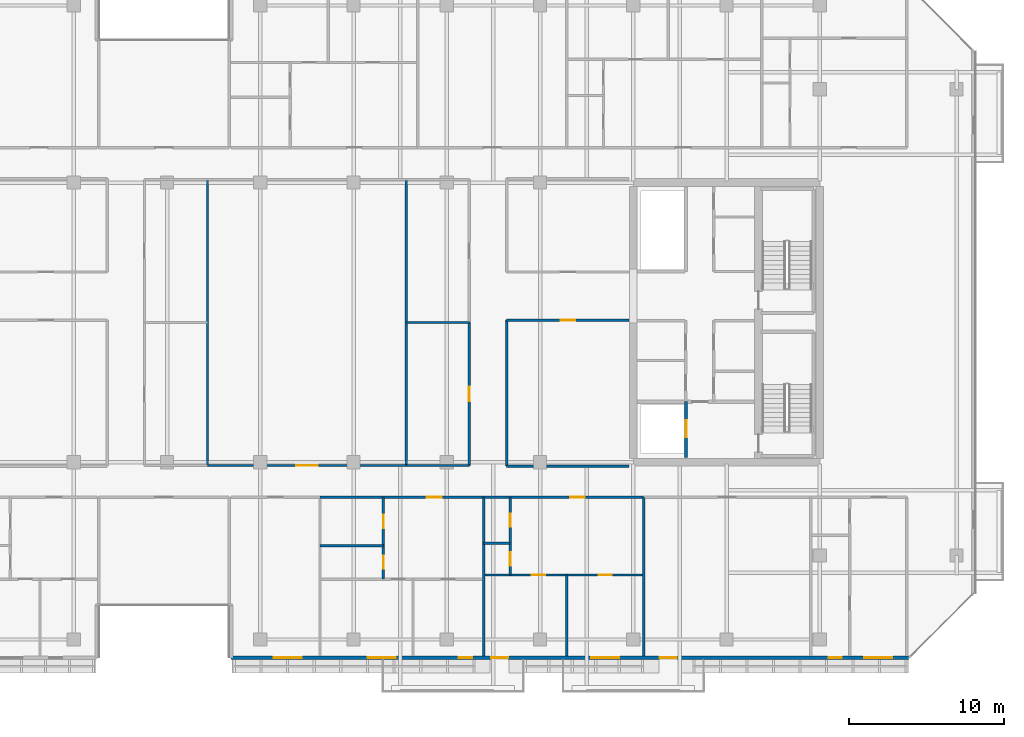
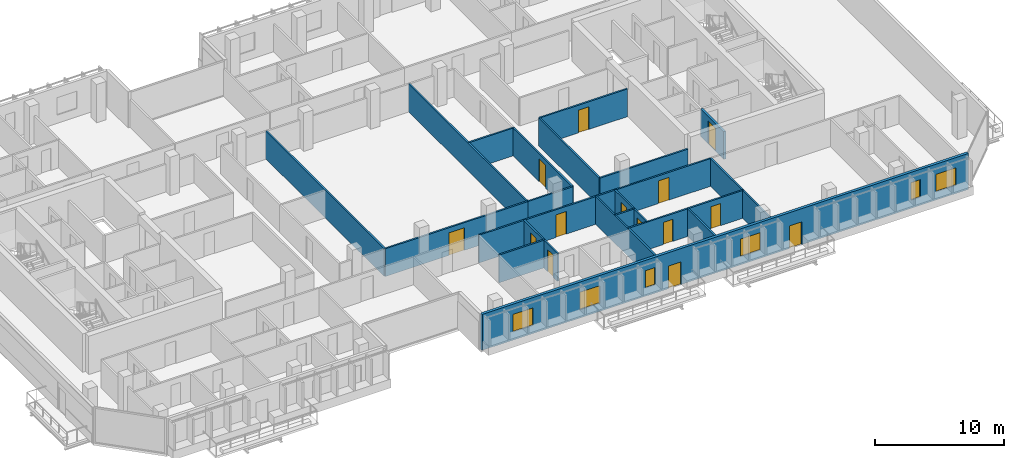
# One storey, part 21 of 30: 21 walls, 14 doors, 6 windows, 20 openings.
"""IFC4 building model written with IfcOpenShell, lengths in metres."""

from ifc_helpers import new_model, si_unit, direction, frame, frame_2d, origin, place, context, subcontext, project, spatial, rectangle, extrude, material, layer, layer_set, type_object, element, fill, save


model = new_model("IFC4")

# Units and contexts
model_context = context("Model", 3, precision=1e-05, world=origin(), true_north=direction((0.0, 1.0)))
body_context = subcontext(model_context, "Body", "Model", "MODEL_VIEW")
ifc_project = project(units=[si_unit("LENGTHUNIT", "METRE"), si_unit("AREAUNIT", "SQUARE_METRE"), si_unit("VOLUMEUNIT", "CUBIC_METRE"), si_unit("PLANEANGLEUNIT", "RADIAN"), si_unit("MASSUNIT", "GRAM", prefix="KILO")], contexts=[model_context])

# Site, building, storey
site_placement = place(None, origin())
site = spatial("IfcSite", under=ifc_project, at=site_placement, CompositionType="ELEMENT")
building_placement = place(site_placement, origin())
building = spatial("IfcBuilding", under=site, at=building_placement, Name="Tanjung Sevakor Pilgrim Tower", CompositionType="ELEMENT")
storey_placement = place(building_placement, frame((0.0, 0.0, 165.659912109375)))
storey = spatial("IfcBuildingStorey", under=building, at=storey_placement, Name="L46", CompositionType="ELEMENT", Elevation=165.659912109375)

# Wall
ifc_material_1 = material(Name="Concrete C40/50", Category="concrete")
ifc_layer_1 = layer(ifc_material_1, 0.14990234375)
ifc_layer_set_1 = layer_set([ifc_layer_1], Name="WT-COMP-150")
wall_type_1 = type_object("IfcWallType", Name="WT-COMP-150", PredefinedType="SOLIDWALL", material=ifc_layer_set_1)
wall_1_placement = place(storey_placement, frame((69.85009765625, 24.35009765625, 0.0), z_axis=(0.0, 0.0, 1.0), x_axis=(1.0, 0.0, 0.0)))
element("IfcWall", 1, at=wall_1_placement, inside=storey, type_object=wall_type_1, Name="L46 Partition IW-L46-033", PredefinedType="SOLIDWALL", context=body_context, shape_type="SweptSolid", body=[
    extrude(rectangle(XDim=7.8798828125, YDim=0.14990234375, at=frame_2d((3.93994140625, 0.0))), origin(), (0.0, 0.0, 1.0), 2.6298828125),
])

# Wall, opening, door
wall_2_placement = place(storey_placement, frame((69.85009765625, 33.75, 0.0), z_axis=(0.0, 0.0, 1.0), x_axis=(1.0, 0.0, 0.0)))
wall_2 = element("IfcWall", 2, at=wall_2_placement, inside=storey, type_object=wall_type_1, Name="L46 Partition IW-L46-034", PredefinedType="SOLIDWALL", context=body_context, shape_type="SweptSolid", body=[
    extrude(rectangle(XDim=7.8798828125, YDim=0.14990234375, at=frame_2d((3.93994140625, 0.0))), origin(), (0.0, 0.0, 1.0), 2.6298828125),
])
opening_1_placement = place(wall_2_placement, frame((3.465087890625, 0.0, 0.0)))
opening_1 = element("IfcOpeningElement", 3, at=opening_1_placement, cuts=wall_2, Name="Opening ID-RM1", PredefinedType="OPENING", context=body_context, shape_type="SweptSolid", body=[
    extrude(rectangle(XDim=0.949951171875, YDim=2.14990234375, at=frame_2d((0.47509765625, 1.074951171875))), frame((0.0, 0.0849609375, 0.0), z_axis=(0.0, -1.0, 0.0), x_axis=(1.0, 0.0, 0.0)), (0.0, 0.0, 1.0), 0.169921875),
])
ifc_material_2 = material(Name="Hardwood Timber", Category="wood")
door_type_1 = type_object("IfcDoorType", Name="DT-INT-950", OperationType="NOTDEFINED", PredefinedType="DOOR", material=ifc_material_2)
door_1_placement = place(opening_1_placement, origin())
door_1 = element("IfcDoor", 4, at=door_1_placement, inside=storey, type_object=door_type_1, Name="L46 East Inboard South Door", OperationType="SINGLE_SWING_RIGHT", OverallHeight=2.14990234375, OverallWidth=0.949951171875, PredefinedType="DOOR", context=body_context, shape_type="SweptSolid", body=[
    extrude(rectangle(XDim=0.949951171875, YDim=2.14990234375, at=frame_2d((0.47509765625, 1.074951171875))), frame((0.0, 0.02490234375, 0.0), z_axis=(0.0, -1.0, 0.0), x_axis=(1.0, 0.0, 0.0)), (0.0, 0.0, 1.0), 0.050048828125),
])
fill(opening_1, door_1)

# Wall
wall_3_placement = place(storey_placement, frame((69.85009765625, 24.35009765625, 0.0), z_axis=(0.0, 0.0, 1.0), x_axis=(0.0, 1.0, 0.0)))
element("IfcWall", 5, at=wall_3_placement, inside=storey, type_object=wall_type_1, Name="L46 Partition IW-L46-035", PredefinedType="SOLIDWALL", context=body_context, shape_type="SweptSolid", body=[
    extrude(rectangle(XDim=9.39990234375, YDim=0.14990234375, at=frame_2d((4.699951171875, 0.0))), origin(), (0.0, 0.0, 1.0), 2.6298828125),
])

# Wall, opening, door
wall_4_placement = place(storey_placement, frame((50.60009765625, 24.39990234375, 0.0), z_axis=(0.0, 0.0, 1.0), x_axis=(1.0, 0.0, 0.0)))
wall_4 = element("IfcWall", 6, at=wall_4_placement, inside=storey, type_object=wall_type_1, Name="L46 Partition IW-L46-044", PredefinedType="SOLIDWALL", context=body_context, shape_type="SweptSolid", body=[
    extrude(rectangle(XDim=12.7998046875, YDim=0.14990234375, at=frame_2d((6.39990234375, 0.0))), origin(), (0.0, 0.0, 1.0), 2.6298828125),
])
opening_2_placement = place(wall_4_placement, frame((5.699951171875, 0.0, 0.0)))
opening_2 = element("IfcOpeningElement", 7, at=opening_2_placement, cuts=wall_4, Name="Opening ID-HD1", PredefinedType="OPENING", context=body_context, shape_type="SweptSolid", body=[
    extrude(rectangle(XDim=1.39990234375, YDim=2.14990234375, at=frame_2d((0.699951171875, 1.074951171875))), frame((0.0, 0.0849609375, 0.0), z_axis=(0.0, -1.0, 0.0), x_axis=(1.0, 0.0, 0.0)), (0.0, 0.0, 1.0), 0.169921875),
])
ifc_material_3 = material(Name="Hardwood Timber", Category="wood")
door_type_2 = type_object("IfcDoorType", Name="DT-INT-1400", OperationType="DOUBLE_DOOR_SINGLE_SWING", PredefinedType="DOOR", material=ifc_material_3)
door_2_placement = place(opening_2_placement, origin())
door_2 = element("IfcDoor", 8, at=door_2_placement, inside=storey, type_object=door_type_2, Name="L46 Sky-Prayer Sanctuary Door", OperationType="SINGLE_SWING_RIGHT", OverallHeight=2.14990234375, OverallWidth=1.39990234375, PredefinedType="DOOR", context=body_context, shape_type="SweptSolid", body=[
    extrude(rectangle(XDim=1.39990234375, YDim=2.14990234375, at=frame_2d((0.699951171875, 1.074951171875))), frame((0.0, 0.02490234375, 0.0), z_axis=(0.0, -1.0, 0.0), x_axis=(1.0, 0.0, 0.0)), (0.0, 0.0, 1.0), 0.050048828125),
])
fill(opening_2, door_2)

# Walls
for number, where, z_axis, x_axis, name in (
    (9, (50.60009765625, 24.39990234375, 0.0), (0.0, 0.0, 1.0), (0.0, 1.0, 0.0), "L46 Partition IW-L46-046"),
    (10, (63.39990234375, 24.39990234375, 0.0), (0.0, 0.0, 1.0), (0.0, 1.0, 0.0), "L46 Partition IW-L46-047"),
):
    element("IfcWall", number, at=place(storey_placement, frame(where, z_axis=z_axis, x_axis=x_axis)), inside=storey, type_object=wall_type_1, Name=name, PredefinedType="SOLIDWALL", context=body_context, shape_type="SweptSolid", body=[
        extrude(rectangle(XDim=18.400146484375, YDim=0.14990234375, at=frame_2d((9.2001953125, 0.0))), origin(), (0.0, 0.0, 1.0), 2.6298828125),
    ])
for number, where, z_axis, x_axis, name in (
    (11, (63.39990234375, 24.39990234375, 0.0), (0.0, 0.0, 1.0), (1.0, 0.0, 0.0), "L46 Partition IW-L46-048"),
    (12, (63.39990234375, 33.60009765625, 0.0), (0.0, 0.0, 1.0), (1.0, 0.0, 0.0), "L46 Partition IW-L46-049"),
):
    element("IfcWall", number, at=place(storey_placement, frame(where, z_axis=z_axis, x_axis=x_axis)), inside=storey, type_object=wall_type_1, Name=name, PredefinedType="SOLIDWALL", context=body_context, shape_type="SweptSolid", body=[
        extrude(rectangle(XDim=4.050048828125, YDim=0.14990234375, at=frame_2d((2.02490234375, 0.0))), origin(), (0.0, 0.0, 1.0), 2.6298828125),
    ])

# Wall, opening, door
wall_5_placement = place(storey_placement, frame((67.449951171875, 24.39990234375, 0.0), z_axis=(0.0, 0.0, 1.0), x_axis=(0.0, 1.0, 0.0)))
wall_5 = element("IfcWall", 13, at=wall_5_placement, inside=storey, type_object=wall_type_1, Name="L46 Partition IW-L46-050", PredefinedType="SOLIDWALL", context=body_context, shape_type="SweptSolid", body=[
    extrude(rectangle(XDim=9.2001953125, YDim=0.14990234375, at=frame_2d((4.60009765625, 0.0))), origin(), (0.0, 0.0, 1.0), 2.6298828125),
])
opening_3_placement = place(wall_5_placement, frame((4.125, 0.0, 0.0)))
opening_3 = element("IfcOpeningElement", 14, at=opening_3_placement, cuts=wall_5, Name="Opening ID-RM1", PredefinedType="OPENING", context=body_context, shape_type="SweptSolid", body=[
    extrude(rectangle(XDim=0.949951171875, YDim=2.14990234375, at=frame_2d((0.47509765625, 1.074951171875))), frame((0.0, 0.0849609375, 0.0), z_axis=(0.0, -1.0, 0.0), x_axis=(1.0, 0.0, 0.0)), (0.0, 0.0, 1.0), 0.169921875),
])
door_3_placement = place(opening_3_placement, origin())
door_3 = element("IfcDoor", 15, at=door_3_placement, inside=storey, type_object=door_type_1, Name="L46 Female Ablution Door", OperationType="SINGLE_SWING_LEFT", OverallHeight=2.14990234375, OverallWidth=0.949951171875, PredefinedType="DOOR", context=body_context, shape_type="SweptSolid", body=[
    extrude(rectangle(XDim=0.949951171875, YDim=2.14990234375, at=frame_2d((0.47509765625, 1.074951171875))), frame((0.0, 0.02490234375, 0.0), z_axis=(0.0, -1.0, 0.0), x_axis=(1.0, 0.0, 0.0)), (0.0, 0.0, 1.0), 0.050048828125),
])
fill(opening_3, door_3)

# Wall
wall_6_placement = place(storey_placement, frame((68.367919921875, 12.14990234375, 0.0), z_axis=(0.0, 0.0, 1.0), x_axis=(0.0, 1.0, 0.0)))
element("IfcWall", 16, at=wall_6_placement, inside=storey, type_object=wall_type_1, Name="L46 Partition IW-L46-074", PredefinedType="SOLIDWALL", context=body_context, shape_type="SweptSolid", body=[
    extrude(rectangle(XDim=10.2001953125, YDim=0.14990234375, at=frame_2d((5.10009765625, 0.0))), origin(), (0.0, 0.0, 1.0), 2.6298828125),
])

# Wall, opening, door
wall_7_placement = place(storey_placement, frame((57.841064453125, 22.35009765625, 0.0), z_axis=(0.0, 0.0, 1.0), x_axis=(1.0, 0.0, 0.0)))
wall_7 = element("IfcWall", 17, at=wall_7_placement, inside=storey, type_object=wall_type_1, Name="L46 Partition IW-L46-079", PredefinedType="SOLIDWALL", context=body_context, shape_type="SweptSolid", body=[
    extrude(rectangle(XDim=10.52685546875, YDim=0.14990234375, at=frame_2d((5.263427734375, 0.0))), origin(), (0.0, 0.0, 1.0), 2.6298828125),
])
opening_4_placement = place(wall_7_placement, frame((6.867919921875, 0.0, 0.0)))
opening_4 = element("IfcOpeningElement", 18, at=opening_4_placement, cuts=wall_7, Name="Opening ID-FD2", PredefinedType="OPENING", context=body_context, shape_type="SweptSolid", body=[
    extrude(rectangle(XDim=0.949951171875, YDim=2.14990234375, at=frame_2d((0.47509765625, 1.074951171875))), frame((0.0, 0.0849609375, 0.0), z_axis=(0.0, -1.0, 0.0), x_axis=(1.0, 0.0, 0.0)), (0.0, 0.0, 1.0), 0.169921875),
])
ifc_material_4 = material(Name="Fire-Rated Timber", Category="wood")
door_type_3 = type_object("IfcDoorType", Name="DT-FIRE-950", OperationType="NOTDEFINED", PredefinedType="DOOR", material=ifc_material_4)
door_4_placement = place(opening_4_placement, origin())
door_4 = element("IfcDoor", 19, at=door_4_placement, inside=storey, type_object=door_type_3, Name="Suite Entrance", OperationType="SINGLE_SWING_RIGHT", OverallHeight=2.14990234375, OverallWidth=0.949951171875, PredefinedType="DOOR", context=body_context, shape_type="SweptSolid", body=[
    extrude(rectangle(XDim=0.949951171875, YDim=2.14990234375, at=frame_2d((0.47509765625, 1.074951171875))), frame((0.0, 0.02490234375, 0.0), z_axis=(0.0, -1.0, 0.0), x_axis=(1.0, 0.0, 0.0)), (0.0, 0.0, 1.0), 0.050048828125),
])
fill(opening_4, door_4)

# Wall
wall_8_placement = place(storey_placement, frame((78.665771484375, 12.14990234375, 0.0), z_axis=(0.0, 0.0, 1.0), x_axis=(0.0, 1.0, 0.0)))
element("IfcWall", 20, at=wall_8_placement, inside=storey, type_object=wall_type_1, Name="L46 Partition IW-L46-080", PredefinedType="SOLIDWALL", context=body_context, shape_type="SweptSolid", body=[
    extrude(rectangle(XDim=10.2001953125, YDim=0.14990234375, at=frame_2d((5.10009765625, 0.0))), origin(), (0.0, 0.0, 1.0), 2.6298828125),
])

# Wall, opening, door
wall_9_placement = place(storey_placement, frame((68.367919921875, 22.35009765625, 0.0), z_axis=(0.0, 0.0, 1.0), x_axis=(1.0, 0.0, 0.0)))
wall_9 = element("IfcWall", 21, at=wall_9_placement, inside=storey, type_object=wall_type_1, Name="L46 Partition IW-L46-085", PredefinedType="SOLIDWALL", context=body_context, shape_type="SweptSolid", body=[
    extrude(rectangle(XDim=10.2978515625, YDim=0.14990234375, at=frame_2d((5.14892578125, 0.0))), origin(), (0.0, 0.0, 1.0), 2.6298828125),
])
opening_5_placement = place(wall_9_placement, frame((5.570068359375, 0.0, 0.0)))
opening_5 = element("IfcOpeningElement", 22, at=opening_5_placement, cuts=wall_9, Name="Opening ID-FD2", PredefinedType="OPENING", context=body_context, shape_type="SweptSolid", body=[
    extrude(rectangle(XDim=0.949951171875, YDim=2.14990234375, at=frame_2d((0.47509765625, 1.074951171875))), frame((0.0, 0.0849609375, 0.0), z_axis=(0.0, -1.0, 0.0), x_axis=(1.0, 0.0, 0.0)), (0.0, 0.0, 1.0), 0.169921875),
])
door_5_placement = place(opening_5_placement, origin())
door_5 = element("IfcDoor", 23, at=door_5_placement, inside=storey, type_object=door_type_3, Name="Suite Entrance", OperationType="SINGLE_SWING_LEFT", OverallHeight=2.14990234375, OverallWidth=0.949951171875, PredefinedType="DOOR", context=body_context, shape_type="SweptSolid", body=[
    extrude(rectangle(XDim=0.949951171875, YDim=2.14990234375, at=frame_2d((0.47509765625, 1.074951171875))), frame((0.0, 0.02490234375, 0.0), z_axis=(0.0, -1.0, 0.0), x_axis=(1.0, 0.0, 0.0)), (0.0, 0.0, 1.0), 0.050048828125),
])
fill(opening_5, door_5)

# Wall, openings, doors, windows
ifc_material_5 = material(Name="Precast concrete C45/55", Category="concrete")
ifc_layer_2 = layer(ifc_material_5, 0.25)
ifc_layer_set_2 = layer_set([ifc_layer_2], Name="WT-EW-STN3")
wall_type_2 = type_object("IfcWallType", Name="WT-EW-STN3", PredefinedType="SOLIDWALL", material=ifc_layer_set_2)
wall_10_placement = place(storey_placement, frame((52.125, 12.02490234375, 0.0), z_axis=(0.0, 0.0, 1.0), x_axis=(1.0, 0.0, 0.0)))
wall_10 = element("IfcWall", 24, at=wall_10_placement, inside=storey, type_object=wall_type_2, Name="L46 MAIN Exterior Wall 5", PredefinedType="SOLIDWALL", context=body_context, shape_type="SweptSolid", body=[
    extrude(rectangle(XDim=43.623291015625, YDim=0.25, at=frame_2d((21.8115234375, 0.0))), origin(), (0.0, 0.0, 1.0), 3.409912109375),
])
opening_6_placement = place(wall_10_placement, frame((16.72509765625, 0.0, 0.0)))
opening_6 = element("IfcOpeningElement", 25, at=opening_6_placement, cuts=wall_10, Name="Opening ED-BAL-1100", PredefinedType="OPENING", context=body_context, shape_type="SweptSolid", body=[
    extrude(rectangle(XDim=1.10009765625, YDim=2.14990234375, at=frame_2d((0.550048828125, 1.074951171875))), frame((0.0, 0.135009765625, 0.0), z_axis=(0.0, -1.0, 0.0), x_axis=(1.0, 0.0, 0.0)), (0.0, 0.0, 1.0), 0.27001953125),
])
opening_7_placement = place(wall_10_placement, frame((27.574951171875, 0.0, 0.0)))
opening_7 = element("IfcOpeningElement", 26, at=opening_7_placement, cuts=wall_10, Name="Opening ED-BAL-1100", PredefinedType="OPENING", context=body_context, shape_type="SweptSolid", body=[
    extrude(rectangle(XDim=1.10009765625, YDim=2.14990234375, at=frame_2d((0.550048828125, 1.074951171875))), frame((0.0, 0.135009765625, 0.0), z_axis=(0.0, -1.0, 0.0), x_axis=(1.0, 0.0, 0.0)), (0.0, 0.0, 1.0), 0.27001953125),
])
opening_8_placement = place(wall_10_placement, frame((2.755615234375, 0.0, 0.780029296875)))
opening_8 = element("IfcOpeningElement", 27, at=opening_8_placement, cuts=wall_10, Name="Opening WN-Z3-1660", PredefinedType="OPENING", context=body_context, shape_type="SweptSolid", body=[
    extrude(rectangle(XDim=1.800048828125, YDim=1.659912109375, at=frame_2d((0.89990234375, 0.830078125))), frame((0.0, 0.135009765625, 0.0), z_axis=(0.0, -1.0, 0.0), x_axis=(1.0, 0.0, 0.0)), (0.0, 0.0, 1.0), 0.27001953125),
])
opening_9_placement = place(wall_10_placement, frame((8.775634765625, 0.0, 0.780029296875)))
opening_9 = element("IfcOpeningElement", 28, at=opening_9_placement, cuts=wall_10, Name="Opening WN-Z3-1660", PredefinedType="OPENING", context=body_context, shape_type="SweptSolid", body=[
    extrude(rectangle(XDim=1.800048828125, YDim=1.659912109375, at=frame_2d((0.89990234375, 0.830078125))), frame((0.0, 0.135009765625, 0.0), z_axis=(0.0, -1.0, 0.0), x_axis=(1.0, 0.0, 0.0)), (0.0, 0.0, 1.0), 0.27001953125),
])
opening_10_placement = place(wall_10_placement, frame((14.65380859375, 0.0, 0.780029296875)))
opening_10 = element("IfcOpeningElement", 29, at=opening_10_placement, cuts=wall_10, Name="Opening WN-SLM", PredefinedType="OPENING", context=body_context, shape_type="SweptSolid", body=[
    extrude(rectangle(XDim=0.85009765625, YDim=1.64990234375, at=frame_2d((0.425048828125, 0.824951171875))), frame((0.0, 0.135009765625, 0.0), z_axis=(0.0, -1.0, 0.0), x_axis=(1.0, 0.0, 0.0)), (0.0, 0.0, 1.0), 0.27001953125),
])
opening_11_placement = place(wall_10_placement, frame((23.1591796875, 0.0, 0.780029296875)))
opening_11 = element("IfcOpeningElement", 30, at=opening_11_placement, cuts=wall_10, Name="Opening WN-Z3-1660", PredefinedType="OPENING", context=body_context, shape_type="SweptSolid", body=[
    extrude(rectangle(XDim=1.800048828125, YDim=1.659912109375, at=frame_2d((0.89990234375, 0.830078125))), frame((0.0, 0.135009765625, 0.0), z_axis=(0.0, -1.0, 0.0), x_axis=(1.0, 0.0, 0.0)), (0.0, 0.0, 1.0), 0.27001953125),
])
opening_12_placement = place(wall_10_placement, frame((38.45068359375, 0.0, 0.780029296875)))
opening_12 = element("IfcOpeningElement", 31, at=opening_12_placement, cuts=wall_10, Name="Opening WN-SLM", PredefinedType="OPENING", context=body_context, shape_type="SweptSolid", body=[
    extrude(rectangle(XDim=0.85009765625, YDim=1.64990234375, at=frame_2d((0.425048828125, 0.824951171875))), frame((0.0, 0.135009765625, 0.0), z_axis=(0.0, -1.0, 0.0), x_axis=(1.0, 0.0, 0.0)), (0.0, 0.0, 1.0), 0.27001953125),
])
opening_13_placement = place(wall_10_placement, frame((40.72509765625, 0.0, 0.780029296875)))
opening_13 = element("IfcOpeningElement", 32, at=opening_13_placement, cuts=wall_10, Name="Opening WN-Z3-1660", PredefinedType="OPENING", context=body_context, shape_type="SweptSolid", body=[
    extrude(rectangle(XDim=1.800048828125, YDim=1.659912109375, at=frame_2d((0.89990234375, 0.830078125))), frame((0.0, 0.135009765625, 0.0), z_axis=(0.0, -1.0, 0.0), x_axis=(1.0, 0.0, 0.0)), (0.0, 0.0, 1.0), 0.27001953125),
])
ifc_material_6 = material(Name="Anodised Aluminium and Laminated Glass", Category="aluminium")
door_type_4 = type_object("IfcDoorType", Name="DTYP-ED-BAL-1100", OperationType="NOTDEFINED", PredefinedType="DOOR", material=ifc_material_6)
door_6_placement = place(opening_6_placement, frame((1.10009765625, 0.0, 0.0), z_axis=(0.0, 0.0, 1.0), x_axis=(-1.0, 0.0, 0.0)))
door_6 = element("IfcDoor", 33, at=door_6_placement, inside=storey, type_object=door_type_4, Name="L46 Balcony Door MAIN-S2", OperationType="SINGLE_SWING_LEFT", OverallHeight=2.14990234375, OverallWidth=1.10009765625, PredefinedType="DOOR", context=body_context, shape_type="SweptSolid", body=[
    extrude(rectangle(XDim=1.10009765625, YDim=2.14990234375, at=frame_2d((0.550048828125, 1.074951171875))), frame((0.0, 0.02490234375, 0.0), z_axis=(0.0, -1.0, 0.0), x_axis=(1.0, 0.0, 0.0)), (0.0, 0.0, 1.0), 0.050048828125),
])
fill(opening_6, door_6)
door_7_placement = place(opening_7_placement, frame((1.10009765625, 0.0, 0.0), z_axis=(0.0, 0.0, 1.0), x_axis=(-1.0, 0.0, 0.0)))
door_7 = element("IfcDoor", 34, at=door_7_placement, inside=storey, type_object=door_type_4, Name="L46 Balcony Door MAIN-S3", OperationType="SINGLE_SWING_RIGHT", OverallHeight=2.14990234375, OverallWidth=1.10009765625, PredefinedType="DOOR", context=body_context, shape_type="SweptSolid", body=[
    extrude(rectangle(XDim=1.10009765625, YDim=2.14990234375, at=frame_2d((0.550048828125, 1.074951171875))), frame((0.0, 0.02490234375, 0.0), z_axis=(0.0, -1.0, 0.0), x_axis=(1.0, 0.0, 0.0)), (0.0, 0.0, 1.0), 0.050048828125),
])
fill(opening_7, door_7)
ifc_material_7 = material(Name="Thermally Broken Aluminium and Low-E Glass", Category="aluminium")
window_type_1 = type_object("IfcWindowType", Name="WTYP-WN-SLM", PartitioningType="SINGLE_PANEL", PredefinedType="WINDOW", material=ifc_material_7)
window_1_placement = place(opening_10_placement, origin())
window_1 = element("IfcWindow", 35, at=window_1_placement, inside=storey, type_object=window_type_1, Name="L46 Facade Window 03", OverallHeight=1.64990234375, OverallWidth=0.85009765625, PartitioningType="SINGLE_PANEL", PredefinedType="WINDOW", context=body_context, shape_type="SweptSolid", body=[
    extrude(rectangle(XDim=0.85009765625, YDim=1.64990234375, at=frame_2d((0.425048828125, 0.824951171875))), frame((0.0, 0.030029296875, 0.0), z_axis=(0.0, -1.0, 0.0), x_axis=(1.0, 0.0, 0.0)), (0.0, 0.0, 1.0), 0.06005859375),
])
fill(opening_10, window_1)
window_2_placement = place(opening_12_placement, origin())
window_2 = element("IfcWindow", 36, at=window_2_placement, inside=storey, type_object=window_type_1, Name="L46 Facade Window 05", OverallHeight=1.64990234375, OverallWidth=0.85009765625, PartitioningType="SINGLE_PANEL", PredefinedType="WINDOW", context=body_context, shape_type="SweptSolid", body=[
    extrude(rectangle(XDim=0.85009765625, YDim=1.64990234375, at=frame_2d((0.425048828125, 0.824951171875))), frame((0.0, 0.030029296875, 0.0), z_axis=(0.0, -1.0, 0.0), x_axis=(1.0, 0.0, 0.0)), (0.0, 0.0, 1.0), 0.06005859375),
])
fill(opening_12, window_2)
ifc_material_8 = material(Name="Thermally Broken Aluminium and Low-E Glass", Category="aluminium")
window_type_2 = type_object("IfcWindowType", Name="WTYP-WN-Z3-1660", PartitioningType="DOUBLE_PANEL_VERTICAL", PredefinedType="WINDOW", material=ifc_material_8)
window_3_placement = place(opening_8_placement, origin())
window_3 = element("IfcWindow", 37, at=window_3_placement, inside=storey, type_object=window_type_2, Name="L46 Facade Window 01", OverallHeight=1.659912109375, OverallWidth=1.800048828125, PartitioningType="SINGLE_PANEL", PredefinedType="WINDOW", context=body_context, shape_type="SweptSolid", body=[
    extrude(rectangle(XDim=1.800048828125, YDim=1.659912109375, at=frame_2d((0.89990234375, 0.830078125))), frame((0.0, 0.030029296875, 0.0), z_axis=(0.0, -1.0, 0.0), x_axis=(1.0, 0.0, 0.0)), (0.0, 0.0, 1.0), 0.06005859375),
])
fill(opening_8, window_3)
window_4_placement = place(opening_9_placement, origin())
window_4 = element("IfcWindow", 38, at=window_4_placement, inside=storey, type_object=window_type_2, Name="L46 Facade Window 02", OverallHeight=1.659912109375, OverallWidth=1.800048828125, PartitioningType="SINGLE_PANEL", PredefinedType="WINDOW", context=body_context, shape_type="SweptSolid", body=[
    extrude(rectangle(XDim=1.800048828125, YDim=1.659912109375, at=frame_2d((0.89990234375, 0.830078125))), frame((0.0, 0.030029296875, 0.0), z_axis=(0.0, -1.0, 0.0), x_axis=(1.0, 0.0, 0.0)), (0.0, 0.0, 1.0), 0.06005859375),
])
fill(opening_9, window_4)
window_5_placement = place(opening_11_placement, origin())
window_5 = element("IfcWindow", 39, at=window_5_placement, inside=storey, type_object=window_type_2, Name="L46 Facade Window 04", OverallHeight=1.659912109375, OverallWidth=1.800048828125, PartitioningType="SINGLE_PANEL", PredefinedType="WINDOW", context=body_context, shape_type="SweptSolid", body=[
    extrude(rectangle(XDim=1.800048828125, YDim=1.659912109375, at=frame_2d((0.89990234375, 0.830078125))), frame((0.0, 0.030029296875, 0.0), z_axis=(0.0, -1.0, 0.0), x_axis=(1.0, 0.0, 0.0)), (0.0, 0.0, 1.0), 0.06005859375),
])
fill(opening_11, window_5)
window_6_placement = place(opening_13_placement, origin())
window_6 = element("IfcWindow", 40, at=window_6_placement, inside=storey, type_object=window_type_2, Name="L46 Facade Window 06", OverallHeight=1.659912109375, OverallWidth=1.800048828125, PartitioningType="SINGLE_PANEL", PredefinedType="WINDOW", context=body_context, shape_type="SweptSolid", body=[
    extrude(rectangle(XDim=1.800048828125, YDim=1.659912109375, at=frame_2d((0.89990234375, 0.830078125))), frame((0.0, 0.030029296875, 0.0), z_axis=(0.0, -1.0, 0.0), x_axis=(1.0, 0.0, 0.0)), (0.0, 0.0, 1.0), 0.06005859375),
])
fill(opening_13, window_6)

# Wall, opening, door
ifc_material_9 = material(Name="Concrete C40/50", Category="concrete")
ifc_layer_3 = layer(ifc_material_9, 0.199951171875)
ifc_layer_set_3 = layer_set([ifc_layer_3], Name="WT-FPRT-200")
wall_type_3 = type_object("IfcWallType", Name="WT-FPRT-200", PredefinedType="SOLIDWALL", material=ifc_layer_set_3)
wall_11_placement = place(storey_placement, frame((81.39990234375, 24.919921875, 0.0), z_axis=(0.0, 0.0, 1.0), x_axis=(0.0, 1.0, 0.0)))
wall_11 = element("IfcWall", 41, at=wall_11_placement, inside=storey, type_object=wall_type_3, Name="L46 Partition IW-L46-014", PredefinedType="SOLIDWALL", context=body_context, shape_type="SweptSolid", body=[
    extrude(rectangle(XDim=3.580078125, YDim=0.199951171875, at=frame_2d((1.7900390625, 0.0))), origin(), (0.0, 0.0, 1.0), 2.6298828125),
])
opening_14_placement = place(wall_11_placement, frame((1.300048828125, 0.0, 0.0)))
opening_14 = element("IfcOpeningElement", 42, at=opening_14_placement, cuts=wall_11, Name="Opening LD-1100", PredefinedType="OPENING", context=body_context, shape_type="SweptSolid", body=[
    extrude(rectangle(XDim=1.10009765625, YDim=2.199951171875, at=frame_2d((0.550048828125, 1.10009765625))), frame((0.0, 0.10986328125, 0.0), z_axis=(0.0, -1.0, 0.0), x_axis=(1.0, 0.0, 0.0)), (0.0, 0.0, 1.0), 0.219970703125),
])
ifc_material_10 = material(Name="Brushed Stainless Steel S355J2", Category="steel")
door_type_5 = type_object("IfcDoorType", Name="DT-LIFT-1100", OperationType="SLIDING_TO_LEFT", PredefinedType="DOOR", material=ifc_material_10)
door_8_placement = place(opening_14_placement, origin())
door_8 = element("IfcDoor", 43, at=door_8_placement, inside=storey, type_object=door_type_5, Name="LD-FL-E", OperationType="SLIDING_TO_LEFT", OverallHeight=2.199951171875, OverallWidth=1.10009765625, PredefinedType="DOOR", context=body_context, shape_type="SweptSolid", body=[
    extrude(rectangle(XDim=1.10009765625, YDim=2.199951171875, at=frame_2d((0.550048828125, 1.10009765625))), frame((0.0, 0.02490234375, 0.0), z_axis=(0.0, -1.0, 0.0), x_axis=(1.0, 0.0, 0.0)), (0.0, 0.0, 1.0), 0.050048828125),
])
fill(opening_14, door_8)

# Wall
ifc_material_11 = material(Name="Gypsum Board Partition", Category="gypsum board")
ifc_layer_4 = layer(ifc_material_11, 0.14990234375)
ifc_layer_set_4 = layer_set([ifc_layer_4], Name="WT-PART-150")
wall_type_4 = type_object("IfcWallType", Name="WT-PART-150", PredefinedType="PARTITIONING", material=ifc_layer_set_4)
wall_12_placement = place(storey_placement, frame((57.841064453125, 19.2431640625, 0.0), z_axis=(0.0, 0.0, 1.0), x_axis=(1.0, 0.0, 0.0)))
element("IfcWall", 44, at=wall_12_placement, inside=storey, type_object=wall_type_4, Name="L46 Partition IW-L46-075", PredefinedType="PARTITIONING", context=body_context, shape_type="SweptSolid", body=[
    extrude(rectangle(XDim=4.078857421875, YDim=0.14990234375, at=frame_2d((2.03955078125, 0.0))), origin(), (0.0, 0.0, 1.0), 2.6298828125),
])

# Wall, openings, doors
wall_13_placement = place(storey_placement, frame((61.919921875, 17.083984375, 0.0), z_axis=(0.0, 0.0, 1.0), x_axis=(0.0, 1.0, 0.0)))
wall_13 = element("IfcWall", 45, at=wall_13_placement, inside=storey, type_object=wall_type_4, Name="L46 Partition IW-L46-076", PredefinedType="PARTITIONING", context=body_context, shape_type="SweptSolid", body=[
    extrude(rectangle(XDim=5.26611328125, YDim=0.14990234375, at=frame_2d((2.633056640625, 0.0))), origin(), (0.0, 0.0, 1.0), 2.6298828125),
])
opening_15_placement = place(wall_13_placement, frame((0.654541015625, 0.0, 0.0)))
opening_15 = element("IfcOpeningElement", 46, at=opening_15_placement, cuts=wall_13, Name="Opening ID-WC1", PredefinedType="OPENING", context=body_context, shape_type="SweptSolid", body=[
    extrude(rectangle(XDim=0.85009765625, YDim=2.10009765625, at=frame_2d((0.425048828125, 1.050048828125))), frame((0.0, 0.0849609375, 0.0), z_axis=(0.0, -1.0, 0.0), x_axis=(1.0, 0.0, 0.0)), (0.0, 0.0, 1.0), 0.169921875),
])
opening_16_placement = place(wall_13_placement, frame((3.28759765625, 0.0, 0.0)))
opening_16 = element("IfcOpeningElement", 47, at=opening_16_placement, cuts=wall_13, Name="Opening ID-WC1", PredefinedType="OPENING", context=body_context, shape_type="SweptSolid", body=[
    extrude(rectangle(XDim=0.85009765625, YDim=2.10009765625, at=frame_2d((0.425048828125, 1.050048828125))), frame((0.0, 0.0849609375, 0.0), z_axis=(0.0, -1.0, 0.0), x_axis=(1.0, 0.0, 0.0)), (0.0, 0.0, 1.0), 0.169921875),
])
ifc_material_12 = material(Name="Moisture-Resistant Timber", Category="wood")
door_type_6 = type_object("IfcDoorType", Name="DT-INT-850", OperationType="NOTDEFINED", PredefinedType="DOOR", material=ifc_material_12)
door_9_placement = place(opening_15_placement, origin())
door_9 = element("IfcDoor", 48, at=door_9_placement, inside=storey, type_object=door_type_6, Name="Suite Bathroom Door", OperationType="SINGLE_SWING_RIGHT", OverallHeight=2.10009765625, OverallWidth=0.85009765625, PredefinedType="DOOR", context=body_context, shape_type="SweptSolid", body=[
    extrude(rectangle(XDim=0.85009765625, YDim=2.10009765625, at=frame_2d((0.425048828125, 1.050048828125))), frame((0.0, 0.02490234375, 0.0), z_axis=(0.0, -1.0, 0.0), x_axis=(1.0, 0.0, 0.0)), (0.0, 0.0, 1.0), 0.050048828125),
])
fill(opening_15, door_9)
door_10_placement = place(opening_16_placement, origin())
door_10 = element("IfcDoor", 49, at=door_10_placement, inside=storey, type_object=door_type_6, Name="Suite Kitchenette Door", OperationType="SINGLE_SWING_LEFT", OverallHeight=2.10009765625, OverallWidth=0.85009765625, PredefinedType="DOOR", context=body_context, shape_type="SweptSolid", body=[
    extrude(rectangle(XDim=0.85009765625, YDim=2.10009765625, at=frame_2d((0.425048828125, 1.050048828125))), frame((0.0, 0.02490234375, 0.0), z_axis=(0.0, -1.0, 0.0), x_axis=(1.0, 0.0, 0.0)), (0.0, 0.0, 1.0), 0.050048828125),
])
fill(opening_16, door_10)

# Wall
wall_14_placement = place(storey_placement, frame((68.367919921875, 19.39990234375, 0.0), z_axis=(0.0, 0.0, 1.0), x_axis=(1.0, 0.0, 0.0)))
element("IfcWall", 50, at=wall_14_placement, inside=storey, type_object=wall_type_4, Name="L46 Partition IW-L46-081", PredefinedType="PARTITIONING", context=body_context, shape_type="SweptSolid", body=[
    extrude(rectangle(XDim=1.712158203125, YDim=0.14990234375, at=frame_2d((0.85595703125, 0.0))), origin(), (0.0, 0.0, 1.0), 2.6298828125),
])

# Wall, openings, doors
wall_15_placement = place(storey_placement, frame((70.080078125, 17.35009765625, 0.0), z_axis=(0.0, 0.0, 1.0), x_axis=(0.0, 1.0, 0.0)))
wall_15 = element("IfcWall", 51, at=wall_15_placement, inside=storey, type_object=wall_type_4, Name="L46 Partition IW-L46-082", PredefinedType="PARTITIONING", context=body_context, shape_type="SweptSolid", body=[
    extrude(rectangle(XDim=5.0, YDim=0.14990234375, at=frame_2d((2.5, 0.0))), origin(), (0.0, 0.0, 1.0), 2.6298828125),
])
opening_17_placement = place(wall_15_placement, frame((0.60009765625, 0.0, 0.0)))
opening_17 = element("IfcOpeningElement", 52, at=opening_17_placement, cuts=wall_15, Name="Opening ID-WC1", PredefinedType="OPENING", context=body_context, shape_type="SweptSolid", body=[
    extrude(rectangle(XDim=0.85009765625, YDim=2.10009765625, at=frame_2d((0.425048828125, 1.050048828125))), frame((0.0, 0.0849609375, 0.0), z_axis=(0.0, -1.0, 0.0), x_axis=(1.0, 0.0, 0.0)), (0.0, 0.0, 1.0), 0.169921875),
])
opening_18_placement = place(wall_15_placement, frame((3.10009765625, 0.0, 0.0)))
opening_18 = element("IfcOpeningElement", 53, at=opening_18_placement, cuts=wall_15, Name="Opening ID-WC1", PredefinedType="OPENING", context=body_context, shape_type="SweptSolid", body=[
    extrude(rectangle(XDim=0.85009765625, YDim=2.10009765625, at=frame_2d((0.425048828125, 1.050048828125))), frame((0.0, 0.0849609375, 0.0), z_axis=(0.0, -1.0, 0.0), x_axis=(1.0, 0.0, 0.0)), (0.0, 0.0, 1.0), 0.169921875),
])
door_11_placement = place(opening_17_placement, origin())
door_11 = element("IfcDoor", 54, at=door_11_placement, inside=storey, type_object=door_type_6, Name="Suite Bathroom Door", OperationType="SINGLE_SWING_LEFT", OverallHeight=2.10009765625, OverallWidth=0.85009765625, PredefinedType="DOOR", context=body_context, shape_type="SweptSolid", body=[
    extrude(rectangle(XDim=0.85009765625, YDim=2.10009765625, at=frame_2d((0.425048828125, 1.050048828125))), frame((0.0, 0.02490234375, 0.0), z_axis=(0.0, -1.0, 0.0), x_axis=(1.0, 0.0, 0.0)), (0.0, 0.0, 1.0), 0.050048828125),
])
fill(opening_17, door_11)
door_12_placement = place(opening_18_placement, origin())
door_12 = element("IfcDoor", 55, at=door_12_placement, inside=storey, type_object=door_type_6, Name="Suite Kitchenette Door", OperationType="SINGLE_SWING_RIGHT", OverallHeight=2.10009765625, OverallWidth=0.85009765625, PredefinedType="DOOR", context=body_context, shape_type="SweptSolid", body=[
    extrude(rectangle(XDim=0.85009765625, YDim=2.10009765625, at=frame_2d((0.425048828125, 1.050048828125))), frame((0.0, 0.02490234375, 0.0), z_axis=(0.0, -1.0, 0.0), x_axis=(1.0, 0.0, 0.0)), (0.0, 0.0, 1.0), 0.050048828125),
])
fill(opening_18, door_12)

# Wall
wall_16_placement = place(storey_placement, frame((73.72265625, 12.14990234375, 0.0), z_axis=(0.0, 0.0, 1.0), x_axis=(0.0, 1.0, 0.0)))
element("IfcWall", 56, at=wall_16_placement, inside=storey, type_object=wall_type_4, Name="L46 Partition IW-L46-083", PredefinedType="PARTITIONING", context=body_context, shape_type="SweptSolid", body=[
    extrude(rectangle(XDim=5.2001953125, YDim=0.14990234375, at=frame_2d((2.60009765625, 0.0))), origin(), (0.0, 0.0, 1.0), 2.6298828125),
])

# Wall, openings, doors
wall_17_placement = place(storey_placement, frame((68.367919921875, 17.35009765625, 0.0), z_axis=(0.0, 0.0, 1.0), x_axis=(1.0, 0.0, 0.0)))
wall_17 = element("IfcWall", 57, at=wall_17_placement, inside=storey, type_object=wall_type_4, Name="L46 Partition IW-L46-084", PredefinedType="PARTITIONING", context=body_context, shape_type="SweptSolid", body=[
    extrude(rectangle(XDim=10.2978515625, YDim=0.14990234375, at=frame_2d((5.14892578125, 0.0))), origin(), (0.0, 0.0, 1.0), 2.6298828125),
])
opening_19_placement = place(wall_17_placement, frame((3.108642578125, 0.0, 0.0)))
opening_19 = element("IfcOpeningElement", 58, at=opening_19_placement, cuts=wall_17, Name="Opening ID-WC1", PredefinedType="OPENING", context=body_context, shape_type="SweptSolid", body=[
    extrude(rectangle(XDim=0.85009765625, YDim=2.10009765625, at=frame_2d((0.425048828125, 1.050048828125))), frame((0.0, 0.0849609375, 0.0), z_axis=(0.0, -1.0, 0.0), x_axis=(1.0, 0.0, 0.0)), (0.0, 0.0, 1.0), 0.169921875),
])
opening_20_placement = place(wall_17_placement, frame((7.4013671875, 0.0, 0.0)))
opening_20 = element("IfcOpeningElement", 59, at=opening_20_placement, cuts=wall_17, Name="Opening ID-WC1", PredefinedType="OPENING", context=body_context, shape_type="SweptSolid", body=[
    extrude(rectangle(XDim=0.85009765625, YDim=2.10009765625, at=frame_2d((0.425048828125, 1.050048828125))), frame((0.0, 0.0849609375, 0.0), z_axis=(0.0, -1.0, 0.0), x_axis=(1.0, 0.0, 0.0)), (0.0, 0.0, 1.0), 0.169921875),
])
door_13_placement = place(opening_19_placement, origin())
door_13 = element("IfcDoor", 60, at=door_13_placement, inside=storey, type_object=door_type_6, Name="Suite Bedroom 1 Door", OperationType="SINGLE_SWING_LEFT", OverallHeight=2.10009765625, OverallWidth=0.85009765625, PredefinedType="DOOR", context=body_context, shape_type="SweptSolid", body=[
    extrude(rectangle(XDim=0.85009765625, YDim=2.10009765625, at=frame_2d((0.425048828125, 1.050048828125))), frame((0.0, 0.02490234375, 0.0), z_axis=(0.0, -1.0, 0.0), x_axis=(1.0, 0.0, 0.0)), (0.0, 0.0, 1.0), 0.050048828125),
])
fill(opening_19, door_13)
door_14_placement = place(opening_20_placement, origin())
door_14 = element("IfcDoor", 61, at=door_14_placement, inside=storey, type_object=door_type_6, Name="Suite Bedroom 2 Door", OperationType="SINGLE_SWING_RIGHT", OverallHeight=2.10009765625, OverallWidth=0.85009765625, PredefinedType="DOOR", context=body_context, shape_type="SweptSolid", body=[
    extrude(rectangle(XDim=0.85009765625, YDim=2.10009765625, at=frame_2d((0.425048828125, 1.050048828125))), frame((0.0, 0.02490234375, 0.0), z_axis=(0.0, -1.0, 0.0), x_axis=(1.0, 0.0, 0.0)), (0.0, 0.0, 1.0), 0.050048828125),
])
fill(opening_20, door_14)

save(model, "model.ifc")
